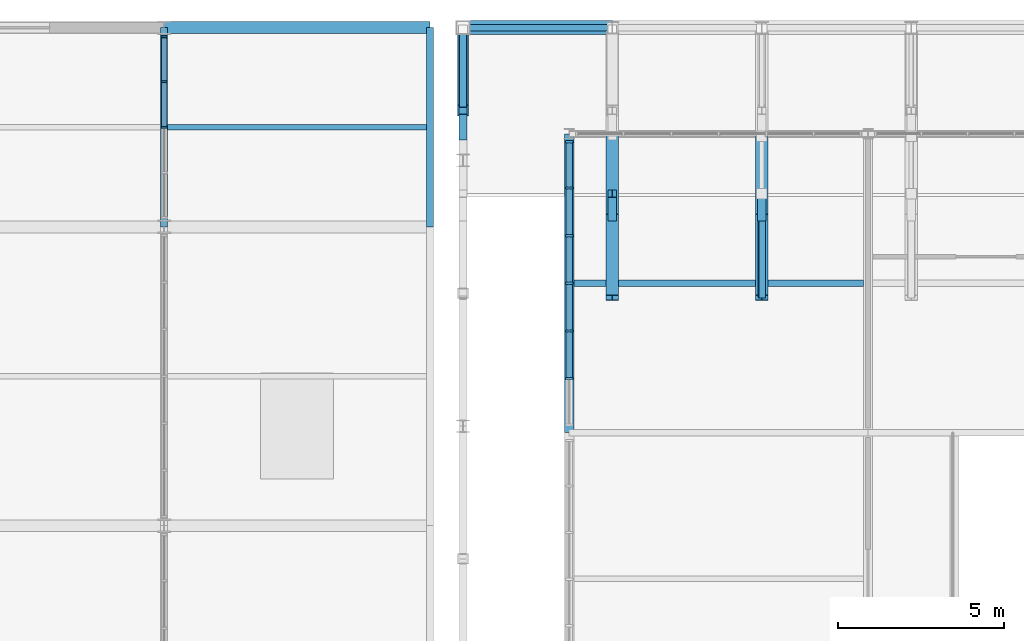
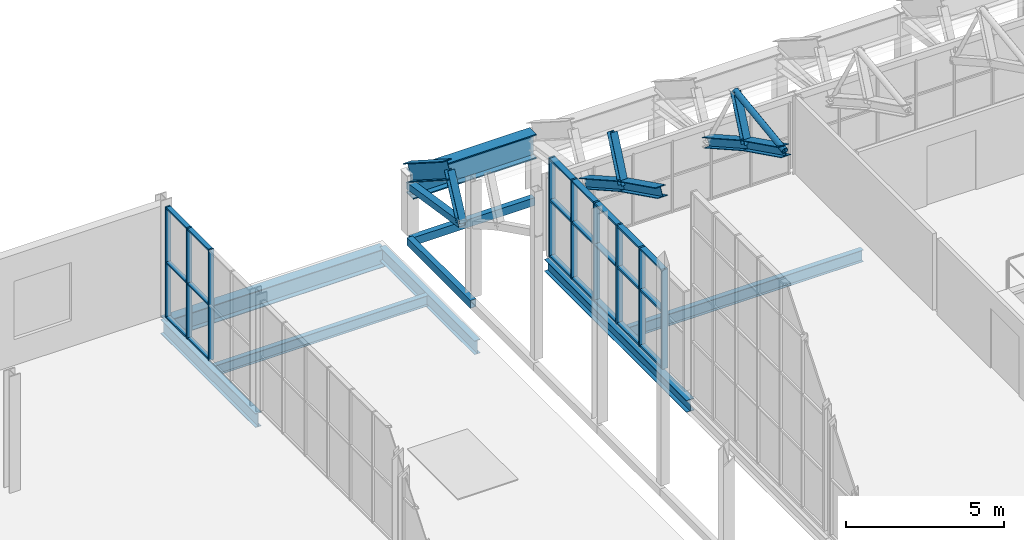
# One storey, part 56 of 134: 39 members, 10 beams, 2 elements without a shape of their own.
"""IFC4 building model written with IfcOpenShell, lengths in metres."""

from ifc_helpers import new_model, si_unit, direction, frame, origin, origin_2d, place, context, subcontext, project, spatial, rectangle, hollow_rectangle, hollow_circle, i_section, extrude, material, layer, layer_set, material_profile, profile_set, type_object, element, aggregate, save


model = new_model("IFC4")

# Units and contexts
model_context = context("Model", 3, precision=1e-05, world=origin(), true_north=direction((0.0, 1.0)))
body_context = subcontext(model_context, "Body", "Model", "MODEL_VIEW")
ifc_project = project(units=[si_unit("LENGTHUNIT", "METRE"), si_unit("AREAUNIT", "SQUARE_METRE"), si_unit("VOLUMEUNIT", "CUBIC_METRE"), si_unit("PLANEANGLEUNIT", "RADIAN"), si_unit("MASSUNIT", "GRAM", prefix="KILO")], contexts=[model_context])

# Site, building, storey
site_placement = place(None, origin())
site = spatial("IfcSite", under=ifc_project, at=site_placement, CompositionType="ELEMENT")
building_placement = place(site_placement, origin())
building = spatial("IfcBuilding", under=site, at=building_placement, Name="Cazmaro Siding Exhibition Halls", CompositionType="ELEMENT")
storey_placement = place(building_placement, frame((0.0, 0.0, 12.0)))
storey = spatial("IfcBuildingStorey", under=building, at=storey_placement, Name="L02", CompositionType="ELEMENT", Elevation=12.0)

# Beams
ifc_material_1 = material(Name="Steel ASTM A992 Grade 50", Category="steel")
ifc_material_profile_1 = material_profile(ifc_material_1, i_section(OverallWidth=0.327880859375, OverallDepth=0.626953125, WebThickness=0.01708984375, FlangeThickness=0.028076171875, at=origin_2d()), Name="W24X146")
ifc_profile_set_1 = profile_set([ifc_material_profile_1], Name="Steel ASTM A992 Grade 50")
beam_type_1 = type_object("IfcBeamType", Name="AR-01", PredefinedType="USERDEFINED", material=ifc_profile_set_1)
beam_1_placement = place(storey_placement, frame((45.0, 121.5, 3.89306640625), z_axis=(0.0, 0.843339173298, -0.537381650954), x_axis=(-1.0, 0.0, 0.0)))
element("IfcBeam", 1, at=beam_1_placement, inside=storey, type_object=beam_type_1, Name="Space frame barrel vault arched rib AR-01 BM-0558", ObjectType="ARCHED RIB", PredefinedType="USERDEFINED", context=body_context, shape_type="SweptSolid", body=[
    extrude(i_section(OverallWidth=0.327880859375, OverallDepth=0.626953125, WebThickness=0.01708984375, FlangeThickness=0.028076171875, at=origin_2d()), origin(), (0.0, 0.0, 1.0), 2.96435546875),
])
ifc_material_2 = material(Name="Steel ASTM A992 Grade 50", Category="steel")
ifc_material_profile_2 = material_profile(ifc_material_2, i_section(OverallWidth=0.214111328125, OverallDepth=0.549072265625, WebThickness=0.014892578125, FlangeThickness=0.02392578125, at=origin_2d()), Name="W21X93")
ifc_profile_set_2 = profile_set([ifc_material_profile_2], Name="Steel ASTM A992 Grade 50")
beam_type_2 = type_object("IfcBeamType", Name="B-01", PredefinedType="BEAM", material=ifc_profile_set_2)
beam_2_placement = place(storey_placement, frame((36.0, 118.0, -0.4951171875), z_axis=(0.0, 1.0, 0.0), x_axis=(-1.0, 0.0, 0.0)))
element("IfcBeam", 2, at=beam_2_placement, inside=storey, type_object=beam_type_2, Name="Beam B-01 BM-2155", PredefinedType="BEAM", context=body_context, shape_type="SweptSolid", body=[
    extrude(i_section(OverallWidth=0.214111328125, OverallDepth=0.549072265625, WebThickness=0.014892578125, FlangeThickness=0.02392578125, at=origin_2d()), origin(), (0.0, 0.0, 1.0), 6.0),
])
ifc_material_3 = material(Name="Steel ASTM A992 Grade 50", Category="steel")
ifc_material_profile_3 = material_profile(ifc_material_3, i_section(OverallWidth=0.2099609375, OverallDepth=0.535888671875, WebThickness=0.010986328125, FlangeThickness=0.01708984375, at=origin_2d()), Name="W21X68")
ifc_profile_set_3 = profile_set([ifc_material_profile_3], Name="Steel ASTM A992 Grade 50")
beam_type_3 = type_object("IfcBeamType", Name="B-02", PredefinedType="BEAM", material=ifc_profile_set_3)
beam_3_placement = place(storey_placement, frame((44.0, 118.0, -0.488037109375), z_axis=(0.0, 1.0, 0.0), x_axis=(-1.0, 0.0, 0.0)))
element("IfcBeam", 3, at=beam_3_placement, inside=storey, type_object=beam_type_3, Name="Beam B-02 BM-2170", PredefinedType="BEAM", context=body_context, shape_type="SweptSolid", body=[
    extrude(i_section(OverallWidth=0.2099609375, OverallDepth=0.535888671875, WebThickness=0.010986328125, FlangeThickness=0.01708984375, at=origin_2d()), origin(), (0.0, 0.0, 1.0), 6.0),
])
ifc_material_4 = material(Name="Steel ASTM A992 Grade 50", Category="steel")
ifc_material_profile_4 = material_profile(ifc_material_4, i_section(OverallWidth=0.279052734375, OverallDepth=0.4619140625, WebThickness=0.010986328125, FlangeThickness=0.01708984375, at=origin_2d()), Name="W18X76")
ifc_profile_set_4 = profile_set([ifc_material_profile_4], Name="Steel ASTM A992 Grade 50")
beam_type_4 = type_object("IfcBeamType", Name="B-03", PredefinedType="BEAM", material=ifc_profile_set_4)
beam_4_placement = place(storey_placement, frame((48.199951171875, 111.800048828125, -0.450927734375), z_axis=(0.0, 1.0, 0.0), x_axis=(-1.0, 0.0, 0.0)))
element("IfcBeam", 4, at=beam_4_placement, inside=storey, type_object=beam_type_4, Name="Beam B-03 BM-0437", PredefinedType="BEAM", context=body_context, shape_type="SweptSolid", body=[
    extrude(i_section(OverallWidth=0.279052734375, OverallDepth=0.4619140625, WebThickness=0.010986328125, FlangeThickness=0.01708984375, at=origin_2d()), origin(), (0.0, 0.0, 1.0), 9.0),
])

# Curtain wall, members
ifc_material_5 = material(Name="Anodized Bronze Aluminum and Solar-Control Low-E Glazing", Category="aluminium")
ifc_layer_1 = layer(ifc_material_5, 0.179931640625)
ifc_layer_set_1 = layer_set([ifc_layer_1], Name="Anodized Bronze Aluminum and Solar-Control Low-E Glazing")
curtain_wall_type_1 = type_object("IfcCurtainWallType", Name="CWS-01", PredefinedType="USERDEFINED", material=ifc_layer_set_1)
curtain_wall_1_placement = place(storey_placement, origin())
curtain_wall_1 = element("IfcCurtainWall", 5, at=curtain_wall_1_placement, inside=storey, type_object=curtain_wall_type_1, Name="Glazed Curtain Wall CWS-01 CW-246", ObjectType="GLAZED CURTAIN WALL", PredefinedType="USERDEFINED")
ifc_material_6 = material(Name="Anodized Bronze Extruded Aluminum", Category="aluminium")
ifc_material_profile_5 = material_profile(ifc_material_6, rectangle(XDim=0.179931640625, YDim=0.06005859375, at=origin_2d()), Name="CWM-01")
ifc_profile_set_5 = profile_set([ifc_material_profile_5], Name="Anodized Bronze Extruded Aluminum")
member_type_1 = type_object("IfcMemberType", Name="CWM-01", PredefinedType="MULLION", material=ifc_profile_set_5)
member_1_placement = place(storey_placement, frame((36.0, 121.0, 0.0), z_axis=(0.0, 0.0, 1.0), x_axis=(-1.0, 0.0, 0.0)))
member_1 = element("IfcMember", 6, at=member_1_placement, type_object=member_type_1, Name="CWS-01 mullion 3", PredefinedType="MULLION", context=body_context, shape_type="SweptSolid", body=[
    extrude(rectangle(XDim=0.179931640625, YDim=0.06005859375, at=origin_2d()), origin(), (0.0, 0.0, 1.0), 4.280029296875),
])
member_2_placement = place(storey_placement, frame((36.0, 122.37744140625, 0.0), z_axis=(0.0, 0.0, 1.0), x_axis=(-1.0, 0.0, 0.0)))
member_2 = element("IfcMember", 7, at=member_2_placement, type_object=member_type_1, Name="CWS-01 mullion 4", PredefinedType="MULLION", context=body_context, shape_type="SweptSolid", body=[
    extrude(rectangle(XDim=0.179931640625, YDim=0.06005859375, at=origin_2d()), origin(), (0.0, 0.0, 1.0), 4.280029296875),
])
member_3_placement = place(storey_placement, frame((36.0, 123.72509765625, 0.0), z_axis=(0.0, 0.0, 1.0), x_axis=(-1.0, 0.0, 0.0)))
member_3 = element("IfcMember", 8, at=member_3_placement, type_object=member_type_1, Name="CWS-01 mullion 5", PredefinedType="MULLION", context=body_context, shape_type="SweptSolid", body=[
    extrude(rectangle(XDim=0.179931640625, YDim=0.06005859375, at=origin_2d()), origin(), (0.0, 0.0, 1.0), 4.280029296875),
])

ifc_material_7 = material(Name="Anodized Bronze Aluminum and Solar-Control Low-E Glazing", Category="aluminium")
ifc_layer_2 = layer(ifc_material_7, 0.219970703125)
ifc_layer_set_2 = layer_set([ifc_layer_2], Name="Anodized Bronze Aluminum and Solar-Control Low-E Glazing")
curtain_wall_type_2 = type_object("IfcCurtainWallType", Name="CWS-03", PredefinedType="USERDEFINED", material=ifc_layer_set_2)
curtain_wall_2_placement = place(storey_placement, origin())
curtain_wall_2 = element("IfcCurtainWall", 9, at=curtain_wall_2_placement, inside=storey, type_object=curtain_wall_type_2, Name="Glazed Curtain Wall CWS-03 CW-064", ObjectType="GLAZED CURTAIN WALL", PredefinedType="USERDEFINED")
ifc_material_8 = material(Name="Anodized Bronze Extruded Aluminum", Category="aluminium")
ifc_material_profile_6 = material_profile(ifc_material_8, rectangle(XDim=0.219970703125, YDim=0.070068359375, at=origin_2d()), Name="CWM-03")
ifc_profile_set_6 = profile_set([ifc_material_profile_6], Name="Anodized Bronze Extruded Aluminum")
member_type_2 = type_object("IfcMemberType", Name="CWM-03", PredefinedType="MULLION", material=ifc_profile_set_6)
member_4_placement = place(storey_placement, frame((48.199951171875, 120.56689453125, 0.0), z_axis=(0.0, 0.0, 1.0), x_axis=(1.0, 0.0, 0.0)))
member_4 = element("IfcMember", 10, at=member_4_placement, type_object=member_type_2, Name="CWS-03 mullion 1", PredefinedType="MULLION", context=body_context, shape_type="SweptSolid", body=[
    extrude(rectangle(XDim=0.219970703125, YDim=0.070068359375, at=origin_2d()), origin(), (0.0, 0.0, 1.0), 3.824951171875),
])
member_5_placement = place(storey_placement, frame((48.199951171875, 119.16796875, 0.0), z_axis=(0.0, 0.0, 1.0), x_axis=(1.0, 0.0, 0.0)))
member_5 = element("IfcMember", 11, at=member_5_placement, type_object=member_type_2, Name="CWS-03 mullion 2", PredefinedType="MULLION", context=body_context, shape_type="SweptSolid", body=[
    extrude(rectangle(XDim=0.219970703125, YDim=0.070068359375, at=origin_2d()), origin(), (0.0, 0.0, 1.0), 3.824951171875),
])
member_6_placement = place(storey_placement, frame((48.199951171875, 117.73388671875, 0.0), z_axis=(0.0, 0.0, 1.0), x_axis=(1.0, 0.0, 0.0)))
member_6 = element("IfcMember", 12, at=member_6_placement, type_object=member_type_2, Name="CWS-03 mullion 3", PredefinedType="MULLION", context=body_context, shape_type="SweptSolid", body=[
    extrude(rectangle(XDim=0.219970703125, YDim=0.070068359375, at=origin_2d()), origin(), (0.0, 0.0, 1.0), 3.824951171875),
])
member_7_placement = place(storey_placement, frame((48.199951171875, 116.300048828125, 0.0), z_axis=(0.0, 0.0, 1.0), x_axis=(1.0, 0.0, 0.0)))
member_7 = element("IfcMember", 13, at=member_7_placement, type_object=member_type_2, Name="CWS-03 mullion 4", PredefinedType="MULLION", context=body_context, shape_type="SweptSolid", body=[
    extrude(rectangle(XDim=0.219970703125, YDim=0.070068359375, at=origin_2d()), origin(), (0.0, 0.0, 1.0), 3.824951171875),
])
member_8_placement = place(storey_placement, frame((48.199951171875, 114.865966796875, 0.0), z_axis=(0.0, 0.0, 1.0), x_axis=(1.0, 0.0, 0.0)))
member_8 = element("IfcMember", 14, at=member_8_placement, type_object=member_type_2, Name="CWS-03 mullion 5", PredefinedType="MULLION", context=body_context, shape_type="SweptSolid", body=[
    extrude(rectangle(XDim=0.219970703125, YDim=0.070068359375, at=origin_2d()), origin(), (0.0, 0.0, 1.0), 3.824951171875),
])
member_9_placement = place(storey_placement, frame((48.199951171875, 113.431884765625, 0.0), z_axis=(0.0, 0.0, 1.0), x_axis=(1.0, 0.0, 0.0)))
member_9 = element("IfcMember", 15, at=member_9_placement, type_object=member_type_2, Name="CWS-03 mullion 6", PredefinedType="MULLION", context=body_context, shape_type="SweptSolid", body=[
    extrude(rectangle(XDim=0.219970703125, YDim=0.070068359375, at=origin_2d()), origin(), (0.0, 0.0, 1.0), 3.824951171875),
])

# Member
ifc_material_9 = material(Name="Anodized Bronze Extruded Aluminum", Category="aluminium")
ifc_material_profile_7 = material_profile(ifc_material_9, rectangle(XDim=0.159912109375, YDim=0.06005859375, at=origin_2d()), Name="CWT-01")
ifc_profile_set_7 = profile_set([ifc_material_profile_7], Name="Anodized Bronze Extruded Aluminum")
member_type_3 = type_object("IfcMemberType", Name="CWT-01", PredefinedType="MULLION", material=ifc_profile_set_7)
member_10_placement = place(storey_placement, frame((36.0, 121.030029296875, 0.030029296875), z_axis=(0.0, 1.0, 0.0), x_axis=(-1.0, 0.0, 0.0)))
member_10 = element("IfcMember", 16, at=member_10_placement, type_object=member_type_3, Name="CWS-01 transom 3.1", ObjectType="TRANSOM", PredefinedType="USERDEFINED", context=body_context, shape_type="SweptSolid", body=[
    extrude(rectangle(XDim=0.159912109375, YDim=0.06005859375, at=origin_2d()), origin(), (0.0, 0.0, 1.0), 1.3173828125),
])

member_11_placement = place(storey_placement, frame((36.0, 121.030029296875, 2.139892578125), z_axis=(0.0, 1.0, 0.0), x_axis=(-1.0, 0.0, 0.0)))
member_11 = element("IfcMember", 17, at=member_11_placement, type_object=member_type_3, Name="CWS-01 transom 3.2", ObjectType="TRANSOM", PredefinedType="USERDEFINED", context=body_context, shape_type="SweptSolid", body=[
    extrude(rectangle(XDim=0.159912109375, YDim=0.06005859375, at=origin_2d()), origin(), (0.0, 0.0, 1.0), 1.3173828125),
])

member_12_placement = place(storey_placement, frame((36.0, 121.030029296875, 4.25), z_axis=(0.0, 1.0, 0.0), x_axis=(-1.0, 0.0, 0.0)))
member_12 = element("IfcMember", 18, at=member_12_placement, type_object=member_type_3, Name="CWS-01 transom 3.3", ObjectType="TRANSOM", PredefinedType="USERDEFINED", context=body_context, shape_type="SweptSolid", body=[
    extrude(rectangle(XDim=0.159912109375, YDim=0.06005859375, at=origin_2d()), origin(), (0.0, 0.0, 1.0), 1.3173828125),
])

member_13_placement = place(storey_placement, frame((36.0, 122.407470703125, 0.030029296875), z_axis=(0.0, 1.0, 0.0), x_axis=(-1.0, 0.0, 0.0)))
member_13 = element("IfcMember", 19, at=member_13_placement, type_object=member_type_3, Name="CWS-01 transom 4.1", ObjectType="TRANSOM", PredefinedType="USERDEFINED", context=body_context, shape_type="SweptSolid", body=[
    extrude(rectangle(XDim=0.159912109375, YDim=0.06005859375, at=origin_2d()), origin(), (0.0, 0.0, 1.0), 1.28759765625),
])

member_14_placement = place(storey_placement, frame((36.0, 122.407470703125, 2.139892578125), z_axis=(0.0, 1.0, 0.0), x_axis=(-1.0, 0.0, 0.0)))
member_14 = element("IfcMember", 20, at=member_14_placement, type_object=member_type_3, Name="CWS-01 transom 4.2", ObjectType="TRANSOM", PredefinedType="USERDEFINED", context=body_context, shape_type="SweptSolid", body=[
    extrude(rectangle(XDim=0.159912109375, YDim=0.06005859375, at=origin_2d()), origin(), (0.0, 0.0, 1.0), 1.28759765625),
])

member_15_placement = place(storey_placement, frame((36.0, 122.407470703125, 4.25), z_axis=(0.0, 1.0, 0.0), x_axis=(-1.0, 0.0, 0.0)))
member_15 = element("IfcMember", 21, at=member_15_placement, type_object=member_type_3, Name="CWS-01 transom 4.3", ObjectType="TRANSOM", PredefinedType="USERDEFINED", context=body_context, shape_type="SweptSolid", body=[
    extrude(rectangle(XDim=0.159912109375, YDim=0.06005859375, at=origin_2d()), origin(), (0.0, 0.0, 1.0), 1.28759765625),
])

aggregate(curtain_wall_1, [member_1, member_2, member_3, member_10, member_11, member_12, member_13, member_14, member_15])

ifc_material_10 = material(Name="Anodized Bronze Extruded Aluminum", Category="aluminium")
ifc_material_profile_8 = material_profile(ifc_material_10, rectangle(XDim=0.199951171875, YDim=0.070068359375, at=origin_2d()), Name="CWT-03")
ifc_profile_set_8 = profile_set([ifc_material_profile_8], Name="Anodized Bronze Extruded Aluminum")
member_type_4 = type_object("IfcMemberType", Name="CWT-03", PredefinedType="MULLION", material=ifc_profile_set_8)
member_16_placement = place(storey_placement, frame((48.199951171875, 120.531982421875, 0.034912109375), z_axis=(0.0, -1.0, 0.0), x_axis=(1.0, 0.0, 0.0)))
member_16 = element("IfcMember", 22, at=member_16_placement, type_object=member_type_4, Name="CWS-03 transom 1.1", ObjectType="TRANSOM", PredefinedType="USERDEFINED", context=body_context, shape_type="SweptSolid", body=[
    extrude(rectangle(XDim=0.199951171875, YDim=0.070068359375, at=origin_2d()), origin(), (0.0, 0.0, 1.0), 1.3291015625),
])

member_17_placement = place(storey_placement, frame((48.199951171875, 120.531982421875, 2.199951171875), z_axis=(0.0, -1.0, 0.0), x_axis=(1.0, 0.0, 0.0)))
member_17 = element("IfcMember", 23, at=member_17_placement, type_object=member_type_4, Name="CWS-03 transom 1.2", ObjectType="TRANSOM", PredefinedType="USERDEFINED", context=body_context, shape_type="SweptSolid", body=[
    extrude(rectangle(XDim=0.199951171875, YDim=0.070068359375, at=origin_2d()), origin(), (0.0, 0.0, 1.0), 1.3291015625),
])

member_18_placement = place(storey_placement, frame((48.199951171875, 120.531982421875, 3.7900390625), z_axis=(0.0, -1.0, 0.0), x_axis=(1.0, 0.0, 0.0)))
member_18 = element("IfcMember", 24, at=member_18_placement, type_object=member_type_4, Name="CWS-03 transom 1.3", ObjectType="TRANSOM", PredefinedType="USERDEFINED", context=body_context, shape_type="SweptSolid", body=[
    extrude(rectangle(XDim=0.199951171875, YDim=0.070068359375, at=origin_2d()), origin(), (0.0, 0.0, 1.0), 1.3291015625),
])

member_19_placement = place(storey_placement, frame((48.199951171875, 119.133056640625, 0.034912109375), z_axis=(0.0, -1.0, 0.0), x_axis=(1.0, 0.0, 0.0)))
member_19 = element("IfcMember", 25, at=member_19_placement, type_object=member_type_4, Name="CWS-03 transom 2.1", ObjectType="TRANSOM", PredefinedType="USERDEFINED", context=body_context, shape_type="SweptSolid", body=[
    extrude(rectangle(XDim=0.199951171875, YDim=0.070068359375, at=origin_2d()), origin(), (0.0, 0.0, 1.0), 1.364013671875),
])

member_20_placement = place(storey_placement, frame((48.199951171875, 119.133056640625, 2.199951171875), z_axis=(0.0, -1.0, 0.0), x_axis=(1.0, 0.0, 0.0)))
member_20 = element("IfcMember", 26, at=member_20_placement, type_object=member_type_4, Name="CWS-03 transom 2.2", ObjectType="TRANSOM", PredefinedType="USERDEFINED", context=body_context, shape_type="SweptSolid", body=[
    extrude(rectangle(XDim=0.199951171875, YDim=0.070068359375, at=origin_2d()), origin(), (0.0, 0.0, 1.0), 1.364013671875),
])

member_21_placement = place(storey_placement, frame((48.199951171875, 119.133056640625, 3.7900390625), z_axis=(0.0, -1.0, 0.0), x_axis=(1.0, 0.0, 0.0)))
member_21 = element("IfcMember", 27, at=member_21_placement, type_object=member_type_4, Name="CWS-03 transom 2.3", ObjectType="TRANSOM", PredefinedType="USERDEFINED", context=body_context, shape_type="SweptSolid", body=[
    extrude(rectangle(XDim=0.199951171875, YDim=0.070068359375, at=origin_2d()), origin(), (0.0, 0.0, 1.0), 1.364013671875),
])

member_22_placement = place(storey_placement, frame((48.199951171875, 117.698974609375, 0.034912109375), z_axis=(0.0, -1.0, 0.0), x_axis=(1.0, 0.0, 0.0)))
member_22 = element("IfcMember", 28, at=member_22_placement, type_object=member_type_4, Name="CWS-03 transom 3.1", ObjectType="TRANSOM", PredefinedType="USERDEFINED", context=body_context, shape_type="SweptSolid", body=[
    extrude(rectangle(XDim=0.199951171875, YDim=0.070068359375, at=origin_2d()), origin(), (0.0, 0.0, 1.0), 1.364013671875),
])

member_23_placement = place(storey_placement, frame((48.199951171875, 117.698974609375, 2.199951171875), z_axis=(0.0, -1.0, 0.0), x_axis=(1.0, 0.0, 0.0)))
member_23 = element("IfcMember", 29, at=member_23_placement, type_object=member_type_4, Name="CWS-03 transom 3.2", ObjectType="TRANSOM", PredefinedType="USERDEFINED", context=body_context, shape_type="SweptSolid", body=[
    extrude(rectangle(XDim=0.199951171875, YDim=0.070068359375, at=origin_2d()), origin(), (0.0, 0.0, 1.0), 1.364013671875),
])

member_24_placement = place(storey_placement, frame((48.199951171875, 117.698974609375, 3.7900390625), z_axis=(0.0, -1.0, 0.0), x_axis=(1.0, 0.0, 0.0)))
member_24 = element("IfcMember", 30, at=member_24_placement, type_object=member_type_4, Name="CWS-03 transom 3.3", ObjectType="TRANSOM", PredefinedType="USERDEFINED", context=body_context, shape_type="SweptSolid", body=[
    extrude(rectangle(XDim=0.199951171875, YDim=0.070068359375, at=origin_2d()), origin(), (0.0, 0.0, 1.0), 1.364013671875),
])

member_25_placement = place(storey_placement, frame((48.199951171875, 116.264892578125, 0.034912109375), z_axis=(0.0, -1.0, 0.0), x_axis=(1.0, 0.0, 0.0)))
member_25 = element("IfcMember", 31, at=member_25_placement, type_object=member_type_4, Name="CWS-03 transom 4.1", ObjectType="TRANSOM", PredefinedType="USERDEFINED", context=body_context, shape_type="SweptSolid", body=[
    extrude(rectangle(XDim=0.199951171875, YDim=0.070068359375, at=origin_2d()), origin(), (0.0, 0.0, 1.0), 1.364013671875),
])

member_26_placement = place(storey_placement, frame((48.199951171875, 116.264892578125, 2.199951171875), z_axis=(0.0, -1.0, 0.0), x_axis=(1.0, 0.0, 0.0)))
member_26 = element("IfcMember", 32, at=member_26_placement, type_object=member_type_4, Name="CWS-03 transom 4.2", ObjectType="TRANSOM", PredefinedType="USERDEFINED", context=body_context, shape_type="SweptSolid", body=[
    extrude(rectangle(XDim=0.199951171875, YDim=0.070068359375, at=origin_2d()), origin(), (0.0, 0.0, 1.0), 1.364013671875),
])

member_27_placement = place(storey_placement, frame((48.199951171875, 116.264892578125, 3.7900390625), z_axis=(0.0, -1.0, 0.0), x_axis=(1.0, 0.0, 0.0)))
member_27 = element("IfcMember", 33, at=member_27_placement, type_object=member_type_4, Name="CWS-03 transom 4.3", ObjectType="TRANSOM", PredefinedType="USERDEFINED", context=body_context, shape_type="SweptSolid", body=[
    extrude(rectangle(XDim=0.199951171875, YDim=0.070068359375, at=origin_2d()), origin(), (0.0, 0.0, 1.0), 1.364013671875),
])

member_28_placement = place(storey_placement, frame((48.199951171875, 114.8310546875, 0.034912109375), z_axis=(0.0, -1.0, 0.0), x_axis=(1.0, 0.0, 0.0)))
member_28 = element("IfcMember", 34, at=member_28_placement, type_object=member_type_4, Name="CWS-03 transom 5.1", ObjectType="TRANSOM", PredefinedType="USERDEFINED", context=body_context, shape_type="SweptSolid", body=[
    extrude(rectangle(XDim=0.199951171875, YDim=0.070068359375, at=origin_2d()), origin(), (0.0, 0.0, 1.0), 1.364013671875),
])

member_29_placement = place(storey_placement, frame((48.199951171875, 114.8310546875, 2.199951171875), z_axis=(0.0, -1.0, 0.0), x_axis=(1.0, 0.0, 0.0)))
member_29 = element("IfcMember", 35, at=member_29_placement, type_object=member_type_4, Name="CWS-03 transom 5.2", ObjectType="TRANSOM", PredefinedType="USERDEFINED", context=body_context, shape_type="SweptSolid", body=[
    extrude(rectangle(XDim=0.199951171875, YDim=0.070068359375, at=origin_2d()), origin(), (0.0, 0.0, 1.0), 1.364013671875),
])

member_30_placement = place(storey_placement, frame((48.199951171875, 114.8310546875, 3.7900390625), z_axis=(0.0, -1.0, 0.0), x_axis=(1.0, 0.0, 0.0)))
member_30 = element("IfcMember", 36, at=member_30_placement, type_object=member_type_4, Name="CWS-03 transom 5.3", ObjectType="TRANSOM", PredefinedType="USERDEFINED", context=body_context, shape_type="SweptSolid", body=[
    extrude(rectangle(XDim=0.199951171875, YDim=0.070068359375, at=origin_2d()), origin(), (0.0, 0.0, 1.0), 1.364013671875),
])

aggregate(curtain_wall_2, [member_4, member_5, member_6, member_7, member_8, member_9, member_16, member_17, member_18, member_19, member_20, member_21, member_22, member_23, member_24, member_25, member_26, member_27, member_28, member_29, member_30])

# Beams
ifc_material_11 = material(Name="Steel ASTM A992 Grade 50", Category="steel")
ifc_material_profile_9 = material_profile(ifc_material_11, i_section(OverallWidth=0.424072265625, OverallDepth=0.947021484375, WebThickness=0.02392578125, FlangeThickness=0.04296875, at=origin_2d()), Name="W36X302")
ifc_profile_set_9 = profile_set([ifc_material_profile_9], Name="Steel ASTM A992 Grade 50")
beam_type_5 = type_object("IfcBeamType", Name="G-01", PredefinedType="USERDEFINED", material=ifc_profile_set_9)
beam_5_placement = place(storey_placement, frame((45.0, 124.0, 1.826904296875), z_axis=(1.0, 0.0, 0.0), x_axis=(0.0, 1.0, 0.0)))
element("IfcBeam", 37, at=beam_5_placement, inside=storey, type_object=beam_type_5, Name="Beam G-01 BM-0066", ObjectType="GIRDER", PredefinedType="USERDEFINED", context=body_context, shape_type="SweptSolid", body=[
    extrude(i_section(OverallWidth=0.424072265625, OverallDepth=0.947021484375, WebThickness=0.02392578125, FlangeThickness=0.04296875, at=origin_2d()), origin(), (0.0, 0.0, 1.0), 4.5),
])
ifc_material_12 = material(Name="Steel ASTM A992 Grade 50", Category="steel")
ifc_material_profile_10 = material_profile(ifc_material_12, i_section(OverallWidth=0.35595703125, OverallDepth=0.696044921875, WebThickness=0.014892578125, FlangeThickness=0.02490234375, at=origin_2d()), Name="W27X146")
ifc_profile_set_10 = profile_set([ifc_material_profile_10], Name="Steel ASTM A992 Grade 50")
beam_type_6 = type_object("IfcBeamType", Name="G-05", PredefinedType="USERDEFINED", material=ifc_profile_set_10)
beam_6_placement = place(storey_placement, frame((36.0, 124.0, -0.568115234375), z_axis=(1.0, 0.0, 0.0), x_axis=(0.0, 1.0, 0.0)))
element("IfcBeam", 38, at=beam_6_placement, inside=storey, type_object=beam_type_6, Name="Beam G-05 BM-2161", ObjectType="GIRDER", PredefinedType="USERDEFINED", context=body_context, shape_type="SweptSolid", body=[
    extrude(i_section(OverallWidth=0.35595703125, OverallDepth=0.696044921875, WebThickness=0.014892578125, FlangeThickness=0.02490234375, at=origin_2d()), origin(), (0.0, 0.0, 1.0), 8.0),
])
ifc_material_13 = material(Name="Steel ASTM A992 Grade 50", Category="steel")
ifc_material_profile_11 = material_profile(ifc_material_13, i_section(OverallWidth=0.19091796875, OverallDepth=0.45703125, WebThickness=0.009033203125, FlangeThickness=0.013916015625, at=origin_2d()), Name="W18X50")
ifc_profile_set_11 = profile_set([ifc_material_profile_11], Name="Steel ASTM A992 Grade 50")
beam_type_7 = type_object("IfcBeamType", Name="J-01", PredefinedType="JOIST", material=ifc_profile_set_11)
beam_7_placement = place(storey_placement, frame((48.340087890625, 116.300048828125, -0.448974609375), z_axis=(1.0, 0.0, 0.0), x_axis=(0.0, 1.0, 0.0)))
element("IfcBeam", 39, at=beam_7_placement, inside=storey, type_object=beam_type_7, Name="Beam J-01 BM-0400", PredefinedType="JOIST", context=body_context, shape_type="SweptSolid", body=[
    extrude(i_section(OverallWidth=0.19091796875, OverallDepth=0.45703125, WebThickness=0.009033203125, FlangeThickness=0.013916015625, at=origin_2d()), origin(), (0.0, 0.0, 1.0), 8.719970703125),
])
ifc_material_14 = material(Name="Steel ASTM A992 Grade 50", Category="steel")
ifc_material_profile_12 = material_profile(ifc_material_14, i_section(OverallWidth=0.177978515625, OverallDepth=0.406005859375, WebThickness=0.008056640625, FlangeThickness=0.012939453125, at=origin_2d()), Name="W16X40")
ifc_profile_set_12 = profile_set([ifc_material_profile_12], Name="Steel ASTM A992 Grade 50")
beam_type_8 = type_object("IfcBeamType", Name="J-02", PredefinedType="JOIST", material=ifc_profile_set_12)
beam_8_placement = place(storey_placement, frame((36.10693359375, 121.0, -0.423095703125), z_axis=(1.0, 0.0, 0.0), x_axis=(0.0, 1.0, 0.0)))
element("IfcBeam", 40, at=beam_8_placement, inside=storey, type_object=beam_type_8, Name="Beam J-02 BM-2171", PredefinedType="JOIST", context=body_context, shape_type="SweptSolid", body=[
    extrude(i_section(OverallWidth=0.177978515625, OverallDepth=0.406005859375, WebThickness=0.008056640625, FlangeThickness=0.012939453125, at=origin_2d()), origin(), (0.0, 0.0, 1.0), 7.7880859375),
])
ifc_material_15 = material(Name="Steel ASTM A500 Grade C", Category="steel")
ifc_material_profile_13 = material_profile(ifc_material_15, hollow_rectangle(XDim=0.202880859375, YDim=0.304931640625, WallThickness=0.011962890625, at=origin_2d()), Name="HSS12X8X1/2")
ifc_profile_set_13 = profile_set([ifc_material_profile_13], Name="Steel ASTM A500 Grade C")
beam_type_9 = type_object("IfcBeamType", Name="SP-01", PredefinedType="SPANDREL", material=ifc_profile_set_13)
beam_9_placement = place(storey_placement, frame((45.0, 120.0, -0.373046875), z_axis=(0.0, 1.0, 0.0), x_axis=(-1.0, 0.0, 0.0)))
element("IfcBeam", 41, at=beam_9_placement, inside=storey, type_object=beam_type_9, Name="Beam SP-01 BM-0030", PredefinedType="SPANDREL", context=body_context, shape_type="SweptSolid", body=[
    extrude(hollow_rectangle(XDim=0.202880859375, YDim=0.304931640625, WallThickness=0.011962890625, at=origin_2d()), origin(), (0.0, 0.0, 1.0), 4.0),
])
beam_10_placement = place(storey_placement, frame((45.0, 124.0, -0.373046875), z_axis=(1.0, 0.0, 0.0), x_axis=(0.0, 1.0, 0.0)))
element("IfcBeam", 42, at=beam_10_placement, inside=storey, type_object=beam_type_9, Name="Beam SP-01 BM-0065", PredefinedType="SPANDREL", context=body_context, shape_type="SweptSolid", body=[
    extrude(hollow_rectangle(XDim=0.202880859375, YDim=0.304931640625, WallThickness=0.011962890625, at=origin_2d()), origin(), (0.0, 0.0, 1.0), 4.5),
])

# Members
ifc_material_16 = material(Name="Steel ASTM A500 Grade C", Category="steel")
ifc_material_profile_14 = material_profile(ifc_material_16, hollow_rectangle(XDim=0.25390625, YDim=0.25390625, WallThickness=0.014892578125, at=origin_2d()), Name="HSS10X10X5/8")
ifc_profile_set_14 = profile_set([ifc_material_profile_14], Name="Steel ASTM A500 Grade C")
member_type_5 = type_object("IfcMemberType", Name="TC-01", PredefinedType="CHORD", material=ifc_profile_set_14)
member_31_placement = place(storey_placement, frame((45.0, 120.72900390625, 2.305908203125), z_axis=(0.0, 0.988252010809, -0.152833121839), x_axis=(-1.0, 0.0, 0.0)))
element("IfcMember", 43, at=member_31_placement, inside=storey, type_object=member_type_5, Name="Space frame barrel vault bottom chord TC-01 MEM-0024", PredefinedType="CHORD", context=body_context, shape_type="SweptSolid", body=[
    extrude(hollow_rectangle(XDim=0.25390625, YDim=0.25390625, WallThickness=0.014892578125, at=origin_2d()), origin(), (0.0, 0.0, 1.0), 3.309814453125),
])
ifc_material_17 = material(Name="Steel ASTM A992 Grade 50", Category="steel")
ifc_material_profile_15 = material_profile(ifc_material_17, i_section(OverallWidth=0.37109375, OverallDepth=0.364013671875, WebThickness=0.012939453125, FlangeThickness=0.02197265625, at=origin_2d()), Name="W14X109")
ifc_profile_set_15 = profile_set([ifc_material_profile_15], Name="Steel ASTM A992 Grade 50")
member_type_6 = type_object("IfcMemberType", Name="TC-06", PredefinedType="CHORD", material=ifc_profile_set_15)
member_32_placement = place(storey_placement, frame((49.5, 115.868896484375, 4.87890625), z_axis=(0.0, 0.896077457924, -0.443897724033), x_axis=(-1.0, 0.0, 0.0)))
element("IfcMember", 44, at=member_32_placement, inside=storey, type_object=member_type_6, Name="Space frame barrel vault bottom chord TC-06 MEM-0069", PredefinedType="CHORD", context=body_context, shape_type="SweptSolid", body=[
    extrude(i_section(OverallWidth=0.37109375, OverallDepth=0.364013671875, WebThickness=0.012939453125, FlangeThickness=0.02197265625, at=origin_2d()), origin(), (0.0, 0.0, 1.0), 2.7119140625),
])
member_33_placement = place(storey_placement, frame((49.5, 118.299072265625, 3.675048828125), z_axis=(0.0, 0.871222319466, -0.490888653428), x_axis=(-1.0, 0.0, 0.0)))
element("IfcMember", 45, at=member_33_placement, inside=storey, type_object=member_type_6, Name="Space frame barrel vault bottom chord TC-06 MEM-0070", PredefinedType="CHORD", context=body_context, shape_type="SweptSolid", body=[
    extrude(i_section(OverallWidth=0.37109375, OverallDepth=0.364013671875, WebThickness=0.012939453125, FlangeThickness=0.02197265625, at=origin_2d()), origin(), (0.0, 0.0, 1.0), 2.7890625),
])
member_34_placement = place(storey_placement, frame((54.0, 115.868896484375, 4.87890625), z_axis=(0.0, 0.896077457924, -0.443897724033), x_axis=(-1.0, 0.0, 0.0)))
element("IfcMember", 46, at=member_34_placement, inside=storey, type_object=member_type_6, Name="Space frame barrel vault bottom chord TC-06 MEM-0137", PredefinedType="CHORD", context=body_context, shape_type="SweptSolid", body=[
    extrude(i_section(OverallWidth=0.37109375, OverallDepth=0.364013671875, WebThickness=0.012939453125, FlangeThickness=0.02197265625, at=origin_2d()), origin(), (0.0, 0.0, 1.0), 2.7119140625),
])
member_35_placement = place(storey_placement, frame((54.0, 118.299072265625, 3.675048828125), z_axis=(0.0, 0.871222319466, -0.490888653428), x_axis=(-1.0, 0.0, 0.0)))
element("IfcMember", 47, at=member_35_placement, inside=storey, type_object=member_type_6, Name="Space frame barrel vault bottom chord TC-06 MEM-0139", PredefinedType="CHORD", context=body_context, shape_type="SweptSolid", body=[
    extrude(i_section(OverallWidth=0.37109375, OverallDepth=0.364013671875, WebThickness=0.012939453125, FlangeThickness=0.02197265625, at=origin_2d()), origin(), (0.0, 0.0, 1.0), 2.7890625),
])
ifc_material_18 = material(Name="Steel ASTM A992 Grade 50", Category="steel")
ifc_material_profile_16 = material_profile(ifc_material_18, i_section(OverallWidth=0.25390625, OverallDepth=0.25390625, WebThickness=0.009033203125, FlangeThickness=0.013916015625, at=origin_2d()), Name="W10X49")
ifc_profile_set_16 = profile_set([ifc_material_profile_16], Name="Steel ASTM A992 Grade 50")
member_type_7 = type_object("IfcMemberType", Name="TP-04", PredefinedType="POST", material=ifc_profile_set_16)
member_36_placement = place(storey_placement, frame((45.0, 120.72900390625, 2.305908203125), z_axis=(0.0, 0.436945543824, 0.89948796086), x_axis=(-1.0, 0.0, 0.0)))
element("IfcMember", 48, at=member_36_placement, inside=storey, type_object=member_type_7, Name="Space frame barrel vault post TP-04 MEM-0047", PredefinedType="POST", context=body_context, shape_type="SweptSolid", body=[
    extrude(i_section(OverallWidth=0.25390625, OverallDepth=0.25390625, WebThickness=0.009033203125, FlangeThickness=0.013916015625, at=origin_2d()), origin(), (0.0, 0.0, 1.0), 1.764404296875),
])
for number, where, z_axis, x_axis, name in (
    (49, (49.5, 118.299072265625, 3.675048828125), (0.0, 0.395865434272, 0.918308530913), (-1.0, 0.0, 0.0), "Space frame barrel vault post TP-04 MEM-0093"),
    (50, (54.0, 118.299072265625, 3.675048828125), (0.0, 0.395865434272, 0.918308530913), (-1.0, 0.0, 0.0), "Space frame barrel vault post TP-04 MEM-0164"),
):
    element("IfcMember", number, at=place(storey_placement, frame(where, z_axis=z_axis, x_axis=x_axis)), inside=storey, type_object=member_type_7, Name=name, PredefinedType="POST", context=body_context, shape_type="SweptSolid", body=[
        extrude(i_section(OverallWidth=0.25390625, OverallDepth=0.25390625, WebThickness=0.009033203125, FlangeThickness=0.013916015625, at=origin_2d()), origin(), (0.0, 0.0, 1.0), 1.7705078125),
    ])
ifc_material_19 = material(Name="Steel ASTM A500 Grade C", Category="steel")
ifc_material_profile_17 = material_profile(ifc_material_19, hollow_circle(Radius=0.109619140625, WallThickness=0.012939453125, at=origin_2d()), Name="PIPE8XS")
ifc_profile_set_17 = profile_set([ifc_material_profile_17], Name="Steel ASTM A500 Grade C")
member_type_8 = type_object("IfcMemberType", Name="WB-01", PredefinedType="BRACE", material=ifc_profile_set_17)
member_37_placement = place(storey_placement, frame((54.0, 115.868896484375, 4.87890625), z_axis=(0.0, 0.991034510477, 0.133606134005), x_axis=(-1.0, 0.0, 0.0)))
element("IfcMember", 51, at=member_37_placement, inside=storey, type_object=member_type_8, Name="Space frame barrel vault diagonal WB-01 MEM-0138", PredefinedType="BRACE", context=body_context, shape_type="SweptSolid", body=[
    extrude(hollow_circle(Radius=0.109619140625, WallThickness=0.012939453125, at=origin_2d()), origin(), (0.0, 0.0, 1.0), 3.159423828125),
])

save(model, "model.ifc")
